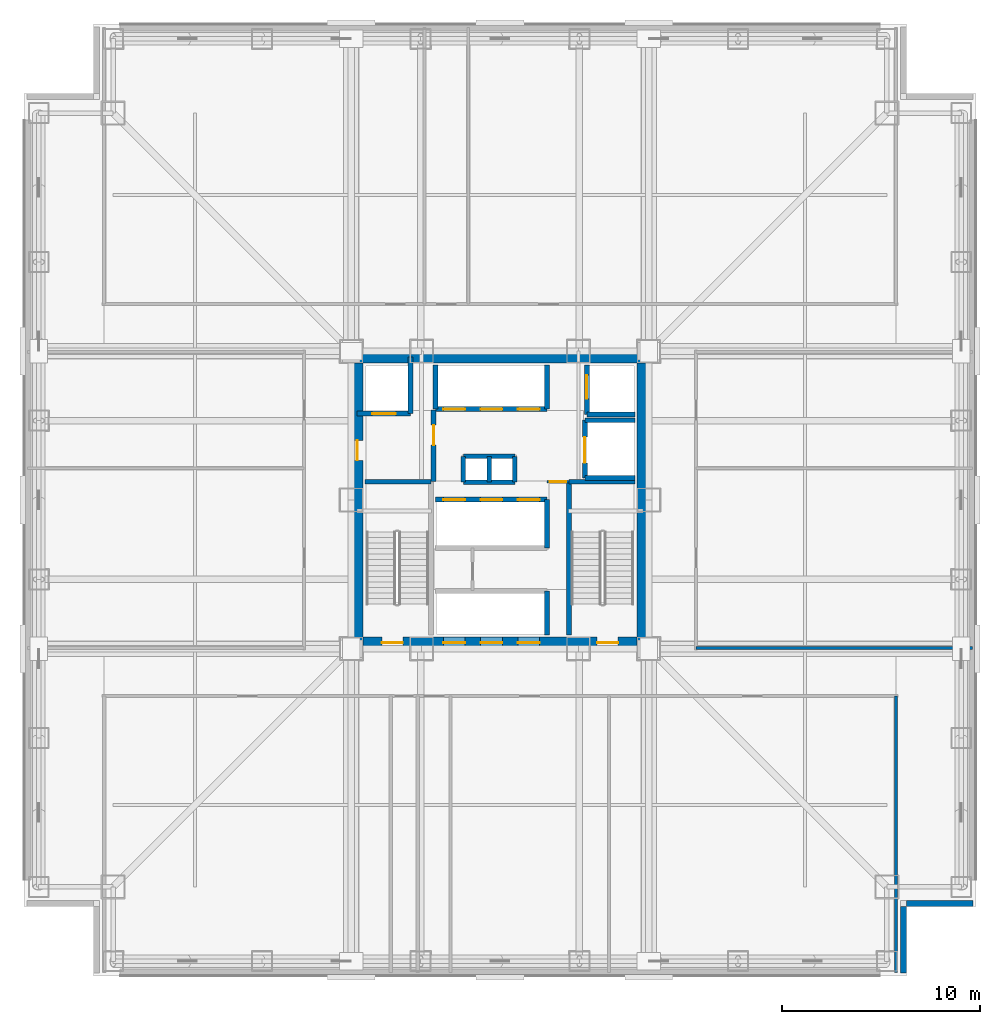
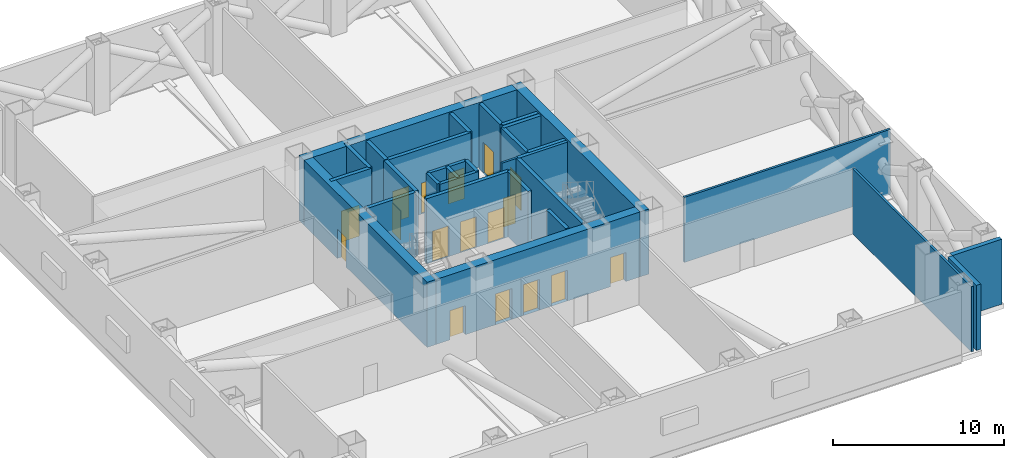
# One storey, part 4 of 8: 31 walls, 17 doors, 17 openings.
"""IFC4 building model written with IfcOpenShell, lengths in metres."""

from ifc_helpers import new_model, si_unit, direction, frame, frame_2d, origin, place, context, subcontext, project, spatial, rectangle, extrude, material, layer, layer_set, type_object, element, fill, save


model = new_model("IFC4")

# Units and contexts
model_context = context("Model", 3, precision=1e-05, world=origin(), true_north=direction((0.0, 1.0)))
body_context = subcontext(model_context, "Body", "Model", "MODEL_VIEW")
ifc_project = project(units=[si_unit("LENGTHUNIT", "METRE"), si_unit("AREAUNIT", "SQUARE_METRE"), si_unit("VOLUMEUNIT", "CUBIC_METRE"), si_unit("PLANEANGLEUNIT", "RADIAN"), si_unit("MASSUNIT", "GRAM", prefix="KILO")], contexts=[model_context])

# Site, building, storey
site_placement = place(None, origin())
site = spatial("IfcSite", under=ifc_project, at=site_placement, CompositionType="ELEMENT")
building_placement = place(site_placement, origin())
building = spatial("IfcBuilding", under=site, at=building_placement, Name="Trevonay Congress Spire", CompositionType="ELEMENT")
storey_placement = place(building_placement, frame((0.0, 0.0, 83.0)))
storey = spatial("IfcBuildingStorey", under=building, at=storey_placement, Name="L21", CompositionType="ELEMENT", Elevation=83.0)

# Wall, openings, doors
ifc_material_1 = material(Name="Concrete C60/75", Category="concrete")
ifc_layer_1 = layer(ifc_material_1, 0.60009765625, Name="Concrete C60/75")
ifc_layer_set_1 = layer_set([ifc_layer_1], Name="Concrete C60/75")
wall_type_1 = type_object("IfcWallType", Name="WAL-CORE-600", PredefinedType="SHEAR", material=ifc_layer_set_1)
wall_1_placement = place(storey_placement, frame((-7.5, -7.199951171875, 0.0), z_axis=(0.0, 0.0, 1.0), x_axis=(1.0, 0.0, 0.0)))
wall_1 = element("IfcWall", 1, at=wall_1_placement, inside=storey, type_object=wall_type_1, Name="L21 South structural core shear wall", PredefinedType="SHEAR", context=body_context, shape_type="SweptSolid", body=[
    extrude(rectangle(XDim=15.0, YDim=0.60009765625, at=frame_2d((7.5, 0.0))), origin(), (0.0, 0.0, 1.0), 4.64990234375),
])
opening_1_placement = place(wall_1_placement, frame((1.550048828125, 0.0, 0.0)))
opening_1 = element("IfcOpeningElement", 2, at=opening_1_placement, cuts=wall_1, Name="Opening D05", PredefinedType="OPENING", context=body_context, shape_type="SweptSolid", body=[
    extrude(rectangle(XDim=1.050048828125, YDim=2.080078125, at=frame_2d((0.52490234375, 1.0400390625))), frame((0.0, 0.31005859375, 0.0), z_axis=(0.0, -1.0, 0.0), x_axis=(1.0, 0.0, 0.0)), (0.0, 0.0, 1.0), 0.6201171875),
])
opening_2_placement = place(wall_1_placement, frame((12.39990234375, 0.0, 0.0)))
opening_2 = element("IfcOpeningElement", 3, at=opening_2_placement, cuts=wall_1, Name="Opening D05", PredefinedType="OPENING", context=body_context, shape_type="SweptSolid", body=[
    extrude(rectangle(XDim=1.050048828125, YDim=2.080078125, at=frame_2d((0.52490234375, 1.0400390625))), frame((0.0, 0.31005859375, 0.0), z_axis=(0.0, -1.0, 0.0), x_axis=(1.0, 0.0, 0.0)), (0.0, 0.0, 1.0), 0.6201171875),
])
opening_3_placement = place(wall_1_placement, frame((4.639892578125, 0.0, 0.0)))
opening_3 = element("IfcOpeningElement", 4, at=opening_3_placement, cuts=wall_1, Name="Opening LD01", PredefinedType="OPENING", context=body_context, shape_type="SweptSolid", body=[
    extrude(rectangle(XDim=1.10009765625, YDim=2.199951171875, at=frame_2d((0.550048828125, 1.10009765625))), frame((0.0, 0.31005859375, 0.0), z_axis=(0.0, -1.0, 0.0), x_axis=(1.0, 0.0, 0.0)), (0.0, 0.0, 1.0), 0.6201171875),
])
opening_4_placement = place(wall_1_placement, frame((6.52001953125, 0.0, 0.0)))
opening_4 = element("IfcOpeningElement", 5, at=opening_4_placement, cuts=wall_1, Name="Opening LD01", PredefinedType="OPENING", context=body_context, shape_type="SweptSolid", body=[
    extrude(rectangle(XDim=1.10009765625, YDim=2.199951171875, at=frame_2d((0.550048828125, 1.10009765625))), frame((0.0, 0.31005859375, 0.0), z_axis=(0.0, -1.0, 0.0), x_axis=(1.0, 0.0, 0.0)), (0.0, 0.0, 1.0), 0.6201171875),
])
opening_5_placement = place(wall_1_placement, frame((8.39990234375, 0.0, 0.0)))
opening_5 = element("IfcOpeningElement", 6, at=opening_5_placement, cuts=wall_1, Name="Opening LD01", PredefinedType="OPENING", context=body_context, shape_type="SweptSolid", body=[
    extrude(rectangle(XDim=1.10009765625, YDim=2.199951171875, at=frame_2d((0.550048828125, 1.10009765625))), frame((0.0, 0.31005859375, 0.0), z_axis=(0.0, -1.0, 0.0), x_axis=(1.0, 0.0, 0.0)), (0.0, 0.0, 1.0), 0.6201171875),
])
ifc_material_2 = material(Name="Pale Anodised Aluminium EN AW-6063-T6", Category="aluminium")
door_type_1 = type_object("IfcDoorType", Name="DOR-LIFT-LD01", OperationType="DOUBLE_DOOR_SLIDING", PredefinedType="DOOR", material=ifc_material_2)
door_1_placement = place(opening_3_placement, origin())
door_1 = element("IfcDoor", 7, at=door_1_placement, inside=storey, type_object=door_type_1, Name="L21 Passenger lift PL-01 landing door", OperationType="DOUBLE_DOOR_SLIDING", OverallHeight=2.199951171875, OverallWidth=1.10009765625, PredefinedType="DOOR", context=body_context, shape_type="SweptSolid", body=[
    extrude(rectangle(XDim=1.10009765625, YDim=2.199951171875, at=frame_2d((0.550048828125, 1.10009765625))), frame((0.0, 0.02490234375, 0.0), z_axis=(0.0, -1.0, 0.0), x_axis=(1.0, 0.0, 0.0)), (0.0, 0.0, 1.0), 0.050048828125),
])
fill(opening_3, door_1)
door_2_placement = place(opening_4_placement, origin())
door_2 = element("IfcDoor", 8, at=door_2_placement, inside=storey, type_object=door_type_1, Name="L21 Passenger lift PL-02 landing door", OperationType="DOUBLE_DOOR_SLIDING", OverallHeight=2.199951171875, OverallWidth=1.10009765625, PredefinedType="DOOR", context=body_context, shape_type="SweptSolid", body=[
    extrude(rectangle(XDim=1.10009765625, YDim=2.199951171875, at=frame_2d((0.550048828125, 1.10009765625))), frame((0.0, 0.02490234375, 0.0), z_axis=(0.0, -1.0, 0.0), x_axis=(1.0, 0.0, 0.0)), (0.0, 0.0, 1.0), 0.050048828125),
])
fill(opening_4, door_2)
door_3_placement = place(opening_5_placement, origin())
door_3 = element("IfcDoor", 9, at=door_3_placement, inside=storey, type_object=door_type_1, Name="L21 Passenger lift PL-03 landing door", OperationType="DOUBLE_DOOR_SLIDING", OverallHeight=2.199951171875, OverallWidth=1.10009765625, PredefinedType="DOOR", context=body_context, shape_type="SweptSolid", body=[
    extrude(rectangle(XDim=1.10009765625, YDim=2.199951171875, at=frame_2d((0.550048828125, 1.10009765625))), frame((0.0, 0.02490234375, 0.0), z_axis=(0.0, -1.0, 0.0), x_axis=(1.0, 0.0, 0.0)), (0.0, 0.0, 1.0), 0.050048828125),
])
fill(opening_5, door_3)
ifc_material_3 = material(Name="Steel ASTM A572 Grade 50", Category="steel")
door_type_2 = type_object("IfcDoorType", Name="DOR-STAIR-110", OperationType="NOTDEFINED", PredefinedType="DOOR", material=ifc_material_3)
door_4_placement = place(opening_1_placement, origin())
door_4 = element("IfcDoor", 10, at=door_4_placement, inside=storey, type_object=door_type_2, Name="L21 Protected Stair ST-1 Door", OperationType="SINGLE_SWING_RIGHT", OverallHeight=2.080078125, OverallWidth=1.050048828125, PredefinedType="DOOR", context=body_context, shape_type="SweptSolid", body=[
    extrude(rectangle(XDim=1.050048828125, YDim=2.080078125, at=frame_2d((0.52490234375, 1.0400390625))), frame((0.0, 0.02490234375, 0.0), z_axis=(0.0, -1.0, 0.0), x_axis=(1.0, 0.0, 0.0)), (0.0, 0.0, 1.0), 0.050048828125),
])
fill(opening_1, door_4)
door_5_placement = place(opening_2_placement, origin())
door_5 = element("IfcDoor", 11, at=door_5_placement, inside=storey, type_object=door_type_2, Name="L21 Protected Stair ST-2 Door", OperationType="SINGLE_SWING_LEFT", OverallHeight=2.080078125, OverallWidth=1.050048828125, PredefinedType="DOOR", context=body_context, shape_type="SweptSolid", body=[
    extrude(rectangle(XDim=1.050048828125, YDim=2.080078125, at=frame_2d((0.52490234375, 1.0400390625))), frame((0.0, 0.02490234375, 0.0), z_axis=(0.0, -1.0, 0.0), x_axis=(1.0, 0.0, 0.0)), (0.0, 0.0, 1.0), 0.050048828125),
])
fill(opening_2, door_5)

# Wall
wall_2_placement = place(storey_placement, frame((-7.5, 7.199951171875, 0.0), z_axis=(0.0, 0.0, 1.0), x_axis=(1.0, 0.0, 0.0)))
element("IfcWall", 12, at=wall_2_placement, inside=storey, type_object=wall_type_1, Name="L21 North structural core shear wall", PredefinedType="SHEAR", context=body_context, shape_type="SweptSolid", body=[
    extrude(rectangle(XDim=15.0, YDim=0.60009765625, at=frame_2d((7.5, 0.0))), origin(), (0.0, 0.0, 1.0), 4.64990234375),
])

# Wall, opening, door
wall_3_placement = place(storey_placement, frame((-7.199951171875, -7.5, 0.0), z_axis=(0.0, 0.0, 1.0), x_axis=(0.0, 1.0, 0.0)))
wall_3 = element("IfcWall", 13, at=wall_3_placement, inside=storey, type_object=wall_type_1, Name="L21 West structural core shear wall", PredefinedType="SHEAR", context=body_context, shape_type="SweptSolid", body=[
    extrude(rectangle(XDim=15.0, YDim=0.60009765625, at=frame_2d((7.5, 0.0))), origin(), (0.0, 0.0, 1.0), 4.64990234375),
])
opening_6_placement = place(wall_3_placement, frame((9.5, 0.0, 0.0)))
opening_6 = element("IfcOpeningElement", 14, at=opening_6_placement, cuts=wall_3, Name="Opening D06", PredefinedType="OPENING", context=body_context, shape_type="SweptSolid", body=[
    extrude(rectangle(XDim=1.0, YDim=2.080078125, at=frame_2d((0.5, 1.0400390625))), frame((0.0, 0.31005859375, 0.0), z_axis=(0.0, -1.0, 0.0), x_axis=(1.0, 0.0, 0.0)), (0.0, 0.0, 1.0), 0.6201171875),
])
door_type_3 = type_object("IfcDoorType", Name="DOR-FIRE-100", OperationType="NOTDEFINED", PredefinedType="DOOR", material=ifc_material_3)
door_6_placement = place(opening_6_placement, origin())
door_6 = element("IfcDoor", 15, at=door_6_placement, inside=storey, type_object=door_type_3, Name="L21 Firefighting Lift Lobby West Corridor Door", OperationType="SINGLE_SWING_RIGHT", OverallHeight=2.080078125, OverallWidth=1.0, PredefinedType="DOOR", context=body_context, shape_type="SweptSolid", body=[
    extrude(rectangle(XDim=1.0, YDim=2.080078125, at=frame_2d((0.5, 1.0400390625))), frame((0.0, 0.02490234375, 0.0), z_axis=(0.0, -1.0, 0.0), x_axis=(1.0, 0.0, 0.0)), (0.0, 0.0, 1.0), 0.050048828125),
])
fill(opening_6, door_6)

# Walls
wall_4_placement = place(storey_placement, frame((7.199951171875, -7.5, 0.0), z_axis=(0.0, 0.0, 1.0), x_axis=(0.0, 1.0, 0.0)))
element("IfcWall", 16, at=wall_4_placement, inside=storey, type_object=wall_type_1, Name="L21 East structural core shear wall", PredefinedType="SHEAR", context=body_context, shape_type="SweptSolid", body=[
    extrude(rectangle(XDim=15.0, YDim=0.60009765625, at=frame_2d((7.5, 0.0))), origin(), (0.0, 0.0, 1.0), 4.64990234375),
])
ifc_material_4 = material(Name="Precast concrete C40/50", Category="concrete")
ifc_layer_2 = layer(ifc_material_4, 0.300048828125, Name="Precast concrete C40/50")
ifc_layer_set_2 = layer_set([ifc_layer_2], Name="Precast concrete C40/50")
wall_type_2 = type_object("IfcWallType", Name="WAL-EXT-PRECAST-300", PredefinedType="SOLIDWALL", material=ifc_layer_set_2)
for number, where, z_axis, x_axis, name in (
    (17, (20.35009765625, -23.85009765625, 0.0), (0.0, 0.0, 1.0), (0.0, 1.0, 0.0), "L21 SE plant notch wall 1"),
    (18, (23.85009765625, -20.35009765625, 0.0), (0.0, 0.0, 1.0), (-1.0, 0.0, 0.0), "L21 SE plant notch wall 2"),
):
    element("IfcWall", number, at=place(storey_placement, frame(where, z_axis=z_axis, x_axis=x_axis)), inside=storey, type_object=wall_type_2, Name=name, PredefinedType="SOLIDWALL", context=body_context, shape_type="SweptSolid", body=[
        extrude(rectangle(XDim=3.35009765625, YDim=0.300048828125, at=frame_2d((1.675048828125, 0.0))), origin(), (0.0, 0.0, 1.0), 4.64990234375),
    ])

# Wall, opening, door
ifc_material_5 = material(Name="Concrete C40/50", Category="concrete")
ifc_layer_3 = layer(ifc_material_5, 0.14990234375, Name="Concrete C40/50")
ifc_layer_set_3 = layer_set([ifc_layer_3], Name="Concrete C40/50")
wall_type_3 = type_object("IfcWallType", Name="WAL-PART-150", PredefinedType="PARTITIONING", material=ifc_layer_set_3)
wall_5_placement = place(storey_placement, frame((2.3798828125, 0.919921875, 0.0), z_axis=(0.0, 0.0, 1.0), x_axis=(1.0, 0.0, 0.0)))
wall_5 = element("IfcWall", 19, at=wall_5_placement, inside=storey, type_object=wall_type_3, Name="L21 interior wall CW-CSRV-N-L21", PredefinedType="PARTITIONING", context=body_context, shape_type="SweptSolid", body=[
    extrude(rectangle(XDim=1.090087890625, YDim=0.14990234375, at=frame_2d((0.544921875, 0.0))), origin(), (0.0, 0.0, 1.0), 4.64990234375),
])
opening_7_placement = place(wall_5_placement, frame((0.135009765625, 0.0, 0.0)))
opening_7 = element("IfcOpeningElement", 20, at=opening_7_placement, cuts=wall_5, Name="Opening D13", PredefinedType="OPENING", context=body_context, shape_type="SweptSolid", body=[
    extrude(rectangle(XDim=0.820068359375, YDim=2.050048828125, at=frame_2d((0.41015625, 1.02490234375))), frame((0.0, 0.0849609375, 0.0), z_axis=(0.0, -1.0, 0.0), x_axis=(1.0, 0.0, 0.0)), (0.0, 0.0, 1.0), 0.169921875),
])
door_type_4 = type_object("IfcDoorType", Name="DOR-UTIL-80", OperationType="NOTDEFINED", PredefinedType="DOOR", material=ifc_material_3)
door_7_placement = place(opening_7_placement, origin())
door_7 = element("IfcDoor", 21, at=door_7_placement, inside=storey, type_object=door_type_4, Name="L21 Core Service Pocket Door", OperationType="SINGLE_SWING_RIGHT", OverallHeight=2.050048828125, OverallWidth=0.820068359375, PredefinedType="DOOR", context=body_context, shape_type="SweptSolid", body=[
    extrude(rectangle(XDim=0.820068359375, YDim=2.050048828125, at=frame_2d((0.41015625, 1.02490234375))), frame((0.0, 0.02490234375, 0.0), z_axis=(0.0, -1.0, 0.0), x_axis=(1.0, 0.0, 0.0)), (0.0, 0.0, 1.0), 0.050048828125),
])
fill(opening_7, door_7)

# Walls
for number, where, z_axis, x_axis, name in (
    (22, (19.949951171875, -23.820068359375, 0.0), (0.0, 0.0, 1.0), (0.0, 1.0, 0.0), "L21 interior wall WP-L21S-DIV5"),
    (23, (9.8798828125, -7.449951171875, 0.0), (0.0, 0.0, 1.0), (1.0, 0.0, 0.0), "L21 interior wall WP-L21E-DIV1"),
):
    element("IfcWall", number, at=place(storey_placement, frame(where, z_axis=z_axis, x_axis=x_axis)), inside=storey, type_object=wall_type_3, Name=name, PredefinedType="PARTITIONING", context=body_context, shape_type="SweptSolid", body=[
        extrude(rectangle(XDim=13.940185546875, YDim=0.14990234375, at=frame_2d((6.97021484375, 0.0))), origin(), (0.0, 0.0, 1.0), 4.64990234375),
    ])
ifc_layer_4 = layer(ifc_material_5, 0.219970703125, Name="Concrete C40/50")
ifc_layer_set_4 = layer_set([ifc_layer_4], Name="Concrete C40/50")
wall_type_4 = type_object("IfcWallType", Name="WAL-SHAFT-220", PredefinedType="PARTITIONING", material=ifc_layer_set_4)
for number, where, z_axis, x_axis, name in (
    (24, (-1.85009765625, 2.199951171875, 0.0), (0.0, 0.0, 1.0), (1.0, 0.0, 0.0), "L21 interior shaft wall WSH-L21-RSR-N"),
    (25, (-1.85009765625, 0.89990234375, 0.0), (0.0, 0.0, 1.0), (1.0, 0.0, 0.0), "L21 interior shaft wall WSH-L21-RSR-S"),
):
    element("IfcWall", number, at=place(storey_placement, frame(where, z_axis=z_axis, x_axis=x_axis)), inside=storey, type_object=wall_type_4, Name=name, PredefinedType="PARTITIONING", context=body_context, shape_type="SweptSolid", body=[
        extrude(rectangle(XDim=2.60009765625, YDim=0.219970703125, at=frame_2d((1.300048828125, 0.0))), origin(), (0.0, 0.0, 1.0), 4.64990234375),
    ])
for number, where, z_axis, x_axis, name in (
    (26, (-0.550048828125, 0.89990234375, 0.0), (0.0, 0.0, 1.0), (0.0, 1.0, 0.0), "L21 interior shaft wall WSH-L21-RSR-M"),
    (27, (0.75, 0.89990234375, 0.0), (0.0, 0.0, 1.0), (0.0, 1.0, 0.0), "L21 interior shaft wall WSH-L21-RSR-E"),
    (28, (-1.85009765625, 0.89990234375, 0.0), (0.0, 0.0, 1.0), (0.0, 1.0, 0.0), "L21 interior shaft wall WSH-L21-RSR-W"),
):
    element("IfcWall", number, at=place(storey_placement, frame(where, z_axis=z_axis, x_axis=x_axis)), inside=storey, type_object=wall_type_4, Name=name, PredefinedType="PARTITIONING", context=body_context, shape_type="SweptSolid", body=[
        extrude(rectangle(XDim=1.300048828125, YDim=0.219970703125, at=frame_2d((0.64990234375, 0.0))), origin(), (0.0, 0.0, 1.0), 4.64990234375),
    ])
ifc_layer_5 = layer(ifc_material_5, 0.25, Name="Concrete C40/50")
ifc_layer_set_5 = layer_set([ifc_layer_5], Name="Concrete C40/50")
wall_type_5 = type_object("IfcWallType", Name="WAL-SHAFT-250", PredefinedType="SHEAR", material=ifc_layer_set_5)
wall_6_placement = place(storey_placement, frame((2.3798828125, -6.800048828125, 0.0), z_axis=(0.0, 0.0, 1.0), x_axis=(0.0, 1.0, 0.0)))
element("IfcWall", 29, at=wall_6_placement, inside=storey, type_object=wall_type_5, Name="L21 interior shaft wall WSH-L21-B1-E", PredefinedType="SHEAR", context=body_context, shape_type="SweptSolid", body=[
    extrude(rectangle(XDim=2.219970703125, YDim=0.25, at=frame_2d((1.10986328125, 0.0))), origin(), (0.0, 0.0, 1.0), 4.64990234375),
])

# Wall, openings, doors
wall_7_placement = place(storey_placement, frame((-3.260009765625, 0.02001953125, 0.0), z_axis=(0.0, 0.0, 1.0), x_axis=(1.0, 0.0, 0.0)))
wall_7 = element("IfcWall", 30, at=wall_7_placement, inside=storey, type_object=wall_type_5, Name="L21 interior shaft wall WSH-L21-B2-N", PredefinedType="SHEAR", context=body_context, shape_type="SweptSolid", body=[
    extrude(rectangle(XDim=5.639892578125, YDim=0.25, at=frame_2d((2.81982421875, 0.0))), origin(), (0.0, 0.0, 1.0), 4.64990234375),
])
opening_8_placement = place(wall_7_placement, frame((0.39990234375, 0.0, 0.0)))
opening_8 = element("IfcOpeningElement", 31, at=opening_8_placement, cuts=wall_7, Name="Opening LD02", PredefinedType="OPENING", context=body_context, shape_type="SweptSolid", body=[
    extrude(rectangle(XDim=1.10009765625, YDim=2.199951171875, at=frame_2d((0.550048828125, 1.10009765625))), frame((0.0, 0.135009765625, 0.0), z_axis=(0.0, -1.0, 0.0), x_axis=(1.0, 0.0, 0.0)), (0.0, 0.0, 1.0), 0.27001953125),
])
opening_9_placement = place(wall_7_placement, frame((2.280029296875, 0.0, 0.0)))
opening_9 = element("IfcOpeningElement", 32, at=opening_9_placement, cuts=wall_7, Name="Opening LD02", PredefinedType="OPENING", context=body_context, shape_type="SweptSolid", body=[
    extrude(rectangle(XDim=1.10009765625, YDim=2.199951171875, at=frame_2d((0.550048828125, 1.10009765625))), frame((0.0, 0.135009765625, 0.0), z_axis=(0.0, -1.0, 0.0), x_axis=(1.0, 0.0, 0.0)), (0.0, 0.0, 1.0), 0.27001953125),
])
opening_10_placement = place(wall_7_placement, frame((4.159912109375, 0.0, 0.0)))
opening_10 = element("IfcOpeningElement", 33, at=opening_10_placement, cuts=wall_7, Name="Opening LD02", PredefinedType="OPENING", context=body_context, shape_type="SweptSolid", body=[
    extrude(rectangle(XDim=1.10009765625, YDim=2.199951171875, at=frame_2d((0.550048828125, 1.10009765625))), frame((0.0, 0.135009765625, 0.0), z_axis=(0.0, -1.0, 0.0), x_axis=(1.0, 0.0, 0.0)), (0.0, 0.0, 1.0), 0.27001953125),
])
door_type_5 = type_object("IfcDoorType", Name="DOR-LIFT-LD02", OperationType="DOUBLE_DOOR_SLIDING", PredefinedType="DOOR", material=ifc_material_2)
door_8_placement = place(opening_8_placement, origin())
door_8 = element("IfcDoor", 34, at=door_8_placement, inside=storey, type_object=door_type_5, Name="L21 Passenger lift PL-04 landing door", OperationType="DOUBLE_DOOR_SLIDING", OverallHeight=2.199951171875, OverallWidth=1.10009765625, PredefinedType="DOOR", context=body_context, shape_type="SweptSolid", body=[
    extrude(rectangle(XDim=1.10009765625, YDim=2.199951171875, at=frame_2d((0.550048828125, 1.10009765625))), frame((0.0, 0.02490234375, 0.0), z_axis=(0.0, -1.0, 0.0), x_axis=(1.0, 0.0, 0.0)), (0.0, 0.0, 1.0), 0.050048828125),
])
fill(opening_8, door_8)
door_9_placement = place(opening_9_placement, origin())
door_9 = element("IfcDoor", 35, at=door_9_placement, inside=storey, type_object=door_type_5, Name="L21 Passenger lift PL-05 landing door", OperationType="DOUBLE_DOOR_SLIDING", OverallHeight=2.199951171875, OverallWidth=1.10009765625, PredefinedType="DOOR", context=body_context, shape_type="SweptSolid", body=[
    extrude(rectangle(XDim=1.10009765625, YDim=2.199951171875, at=frame_2d((0.550048828125, 1.10009765625))), frame((0.0, 0.02490234375, 0.0), z_axis=(0.0, -1.0, 0.0), x_axis=(1.0, 0.0, 0.0)), (0.0, 0.0, 1.0), 0.050048828125),
])
fill(opening_9, door_9)
door_10_placement = place(opening_10_placement, origin())
door_10 = element("IfcDoor", 36, at=door_10_placement, inside=storey, type_object=door_type_5, Name="L21 Passenger lift PL-06 landing door", OperationType="DOUBLE_DOOR_SLIDING", OverallHeight=2.199951171875, OverallWidth=1.10009765625, PredefinedType="DOOR", context=body_context, shape_type="SweptSolid", body=[
    extrude(rectangle(XDim=1.10009765625, YDim=2.199951171875, at=frame_2d((0.550048828125, 1.10009765625))), frame((0.0, 0.02490234375, 0.0), z_axis=(0.0, -1.0, 0.0), x_axis=(1.0, 0.0, 0.0)), (0.0, 0.0, 1.0), 0.050048828125),
])
fill(opening_10, door_10)

# Wall
wall_8_placement = place(storey_placement, frame((2.3798828125, -2.419921875, 0.0), z_axis=(0.0, 0.0, 1.0), x_axis=(0.0, 1.0, 0.0)))
element("IfcWall", 37, at=wall_8_placement, inside=storey, type_object=wall_type_5, Name="L21 interior shaft wall WSH-L21-B2-E", PredefinedType="SHEAR", context=body_context, shape_type="SweptSolid", body=[
    extrude(rectangle(XDim=2.43994140625, YDim=0.25, at=frame_2d((1.219970703125, 0.0))), origin(), (0.0, 0.0, 1.0), 4.64990234375),
])

# Wall, openings, doors
wall_9_placement = place(storey_placement, frame((-3.260009765625, 4.580078125, 0.0), z_axis=(0.0, 0.0, 1.0), x_axis=(1.0, 0.0, 0.0)))
wall_9 = element("IfcWall", 38, at=wall_9_placement, inside=storey, type_object=wall_type_5, Name="L21 interior shaft wall WSH-L21-B3-S", PredefinedType="SHEAR", context=body_context, shape_type="SweptSolid", body=[
    extrude(rectangle(XDim=5.639892578125, YDim=0.25, at=frame_2d((2.81982421875, 0.0))), origin(), (0.0, 0.0, 1.0), 4.64990234375),
])
opening_11_placement = place(wall_9_placement, frame((0.39990234375, 0.0, 0.0)))
opening_11 = element("IfcOpeningElement", 39, at=opening_11_placement, cuts=wall_9, Name="Opening LD03", PredefinedType="OPENING", context=body_context, shape_type="SweptSolid", body=[
    extrude(rectangle(XDim=1.10009765625, YDim=2.199951171875, at=frame_2d((0.550048828125, 1.10009765625))), frame((0.0, 0.135009765625, 0.0), z_axis=(0.0, -1.0, 0.0), x_axis=(1.0, 0.0, 0.0)), (0.0, 0.0, 1.0), 0.27001953125),
])
opening_12_placement = place(wall_9_placement, frame((2.280029296875, 0.0, 0.0)))
opening_12 = element("IfcOpeningElement", 40, at=opening_12_placement, cuts=wall_9, Name="Opening LD03", PredefinedType="OPENING", context=body_context, shape_type="SweptSolid", body=[
    extrude(rectangle(XDim=1.10009765625, YDim=2.199951171875, at=frame_2d((0.550048828125, 1.10009765625))), frame((0.0, 0.135009765625, 0.0), z_axis=(0.0, -1.0, 0.0), x_axis=(1.0, 0.0, 0.0)), (0.0, 0.0, 1.0), 0.27001953125),
])
opening_13_placement = place(wall_9_placement, frame((4.159912109375, 0.0, 0.0)))
opening_13 = element("IfcOpeningElement", 41, at=opening_13_placement, cuts=wall_9, Name="Opening LD03", PredefinedType="OPENING", context=body_context, shape_type="SweptSolid", body=[
    extrude(rectangle(XDim=1.10009765625, YDim=2.199951171875, at=frame_2d((0.550048828125, 1.10009765625))), frame((0.0, 0.135009765625, 0.0), z_axis=(0.0, -1.0, 0.0), x_axis=(1.0, 0.0, 0.0)), (0.0, 0.0, 1.0), 0.27001953125),
])
door_type_6 = type_object("IfcDoorType", Name="DOR-LIFT-LD03", OperationType="DOUBLE_DOOR_SLIDING", PredefinedType="DOOR", material=ifc_material_2)
door_11_placement = place(opening_11_placement, origin())
door_11 = element("IfcDoor", 42, at=door_11_placement, inside=storey, type_object=door_type_6, Name="L21 Passenger lift PL-07 landing door", OperationType="DOUBLE_DOOR_SLIDING", OverallHeight=2.199951171875, OverallWidth=1.10009765625, PredefinedType="DOOR", context=body_context, shape_type="SweptSolid", body=[
    extrude(rectangle(XDim=1.10009765625, YDim=2.199951171875, at=frame_2d((0.550048828125, 1.10009765625))), frame((0.0, 0.02490234375, 0.0), z_axis=(0.0, -1.0, 0.0), x_axis=(1.0, 0.0, 0.0)), (0.0, 0.0, 1.0), 0.050048828125),
])
fill(opening_11, door_11)
door_12_placement = place(opening_12_placement, origin())
door_12 = element("IfcDoor", 43, at=door_12_placement, inside=storey, type_object=door_type_6, Name="L21 Passenger lift PL-08 landing door", OperationType="DOUBLE_DOOR_SLIDING", OverallHeight=2.199951171875, OverallWidth=1.10009765625, PredefinedType="DOOR", context=body_context, shape_type="SweptSolid", body=[
    extrude(rectangle(XDim=1.10009765625, YDim=2.199951171875, at=frame_2d((0.550048828125, 1.10009765625))), frame((0.0, 0.02490234375, 0.0), z_axis=(0.0, -1.0, 0.0), x_axis=(1.0, 0.0, 0.0)), (0.0, 0.0, 1.0), 0.050048828125),
])
fill(opening_12, door_12)
door_13_placement = place(opening_13_placement, origin())
door_13 = element("IfcDoor", 44, at=door_13_placement, inside=storey, type_object=door_type_6, Name="L21 Passenger lift PL-09 landing door", OperationType="DOUBLE_DOOR_SLIDING", OverallHeight=2.199951171875, OverallWidth=1.10009765625, PredefinedType="DOOR", context=body_context, shape_type="SweptSolid", body=[
    extrude(rectangle(XDim=1.10009765625, YDim=2.199951171875, at=frame_2d((0.550048828125, 1.10009765625))), frame((0.0, 0.02490234375, 0.0), z_axis=(0.0, -1.0, 0.0), x_axis=(1.0, 0.0, 0.0)), (0.0, 0.0, 1.0), 0.050048828125),
])
fill(opening_13, door_13)

# Walls
for number, where, z_axis, x_axis, name in (
    (45, (-3.260009765625, 4.580078125, 0.0), (0.0, 0.0, 1.0), (0.0, 1.0, 0.0), "L21 interior shaft wall WSH-L21-B3-W"),
    (46, (2.3798828125, 4.580078125, 0.0), (0.0, 0.0, 1.0), (0.0, 1.0, 0.0), "L21 interior shaft wall WSH-L21-B3-E"),
):
    element("IfcWall", number, at=place(storey_placement, frame(where, z_axis=z_axis, x_axis=x_axis)), inside=storey, type_object=wall_type_5, Name=name, PredefinedType="SHEAR", context=body_context, shape_type="SweptSolid", body=[
        extrude(rectangle(XDim=2.219970703125, YDim=0.25, at=frame_2d((1.10986328125, 0.0))), origin(), (0.0, 0.0, 1.0), 4.64990234375),
    ])

# Wall, opening, door
wall_10_placement = place(storey_placement, frame((-7.199951171875, 4.35009765625, 0.0), z_axis=(0.0, 0.0, 1.0), x_axis=(1.0, 0.0, 0.0)))
wall_10 = element("IfcWall", 47, at=wall_10_placement, inside=storey, type_object=wall_type_5, Name="L21 interior shaft wall WSH-L21-FF1-S", PredefinedType="SHEAR", context=body_context, shape_type="SweptSolid", body=[
    extrude(rectangle(XDim=2.699951171875, YDim=0.25, at=frame_2d((1.35009765625, 0.0))), origin(), (0.0, 0.0, 1.0), 4.64990234375),
])
opening_14_placement = place(wall_10_placement, frame((0.75, 0.0, 0.0)))
opening_14 = element("IfcOpeningElement", 48, at=opening_14_placement, cuts=wall_10, Name="Opening LD04", PredefinedType="OPENING", context=body_context, shape_type="SweptSolid", body=[
    extrude(rectangle(XDim=1.199951171875, YDim=2.199951171875, at=frame_2d((0.60009765625, 1.10009765625))), frame((0.0, 0.135009765625, 0.0), z_axis=(0.0, -1.0, 0.0), x_axis=(1.0, 0.0, 0.0)), (0.0, 0.0, 1.0), 0.27001953125),
])
door_type_7 = type_object("IfcDoorType", Name="DOR-LIFT-LD04", OperationType="DOUBLE_DOOR_SLIDING", PredefinedType="DOOR", material=ifc_material_3)
door_14_placement = place(opening_14_placement, origin())
door_14 = element("IfcDoor", 49, at=door_14_placement, inside=storey, type_object=door_type_7, Name="L21 Firefighting lift FFL-01 landing door", OperationType="DOUBLE_DOOR_SLIDING", OverallHeight=2.199951171875, OverallWidth=1.199951171875, PredefinedType="DOOR", context=body_context, shape_type="SweptSolid", body=[
    extrude(rectangle(XDim=1.199951171875, YDim=2.199951171875, at=frame_2d((0.60009765625, 1.10009765625))), frame((0.0, 0.02490234375, 0.0), z_axis=(0.0, -1.0, 0.0), x_axis=(1.0, 0.0, 0.0)), (0.0, 0.0, 1.0), 0.050048828125),
])
fill(opening_14, door_14)

# Walls
wall_11_placement = place(storey_placement, frame((-4.5, 4.35009765625, 0.0), z_axis=(0.0, 0.0, 1.0), x_axis=(0.0, 1.0, 0.0)))
element("IfcWall", 50, at=wall_11_placement, inside=storey, type_object=wall_type_5, Name="L21 interior shaft wall WSH-L21-FF1-E", PredefinedType="SHEAR", context=body_context, shape_type="SweptSolid", body=[
    extrude(rectangle(XDim=2.849853515625, YDim=0.25, at=frame_2d((1.4248046875, 0.0))), origin(), (0.0, 0.0, 1.0), 4.64990234375),
])
wall_12_placement = place(storey_placement, frame((4.3798828125, 4.300048828125, 0.0), z_axis=(0.0, 0.0, 1.0), x_axis=(1.0, 0.0, 0.0)))
element("IfcWall", 51, at=wall_12_placement, inside=storey, type_object=wall_type_5, Name="L21 interior shaft wall WSH-L21-FF2-S", PredefinedType="SHEAR", context=body_context, shape_type="SweptSolid", body=[
    extrude(rectangle(XDim=2.420166015625, YDim=0.25, at=frame_2d((1.2099609375, 0.0))), origin(), (0.0, 0.0, 1.0), 4.64990234375),
])

# Wall, opening, door
wall_13_placement = place(storey_placement, frame((4.3798828125, 4.300048828125, 0.0), z_axis=(0.0, 0.0, 1.0), x_axis=(0.0, 1.0, 0.0)))
wall_13 = element("IfcWall", 52, at=wall_13_placement, inside=storey, type_object=wall_type_5, Name="L21 interior shaft wall WSH-L21-FF2-W", PredefinedType="SHEAR", context=body_context, shape_type="SweptSolid", body=[
    extrude(rectangle(XDim=2.5, YDim=0.25, at=frame_2d((1.25, 0.0))), origin(), (0.0, 0.0, 1.0), 4.64990234375),
])
opening_15_placement = place(wall_13_placement, frame((0.800048828125, 0.0, 0.0)))
opening_15 = element("IfcOpeningElement", 53, at=opening_15_placement, cuts=wall_13, Name="Opening LD04", PredefinedType="OPENING", context=body_context, shape_type="SweptSolid", body=[
    extrude(rectangle(XDim=1.199951171875, YDim=2.199951171875, at=frame_2d((0.60009765625, 1.10009765625))), frame((0.0, 0.135009765625, 0.0), z_axis=(0.0, -1.0, 0.0), x_axis=(1.0, 0.0, 0.0)), (0.0, 0.0, 1.0), 0.27001953125),
])
door_15_placement = place(opening_15_placement, origin())
door_15 = element("IfcDoor", 54, at=door_15_placement, inside=storey, type_object=door_type_7, Name="L21 Firefighting lift FFL-02 landing door", OperationType="DOUBLE_DOOR_SLIDING", OverallHeight=2.199951171875, OverallWidth=1.199951171875, PredefinedType="DOOR", context=body_context, shape_type="SweptSolid", body=[
    extrude(rectangle(XDim=1.199951171875, YDim=2.199951171875, at=frame_2d((0.60009765625, 1.10009765625))), frame((0.0, 0.02490234375, 0.0), z_axis=(0.0, -1.0, 0.0), x_axis=(1.0, 0.0, 0.0)), (0.0, 0.0, 1.0), 0.050048828125),
])
fill(opening_15, door_15)

wall_14_placement = place(storey_placement, frame((4.280029296875, 1.1201171875, 0.0), z_axis=(0.0, 0.0, 1.0), x_axis=(0.0, 1.0, 0.0)))
wall_14 = element("IfcWall", 55, at=wall_14_placement, inside=storey, type_object=wall_type_5, Name="L21 interior shaft wall WSH-L21-SV-W", PredefinedType="SHEAR", context=body_context, shape_type="SweptSolid", body=[
    extrude(rectangle(XDim=2.89990234375, YDim=0.25, at=frame_2d((1.449951171875, 0.0))), origin(), (0.0, 0.0, 1.0), 4.64990234375),
])
opening_16_placement = place(wall_14_placement, frame((0.75, 0.0, 0.0)))
opening_16 = element("IfcOpeningElement", 56, at=opening_16_placement, cuts=wall_14, Name="Opening LD05", PredefinedType="OPENING", context=body_context, shape_type="SweptSolid", body=[
    extrude(rectangle(XDim=1.300048828125, YDim=2.300048828125, at=frame_2d((0.64990234375, 1.14990234375))), frame((0.0, 0.135009765625, 0.0), z_axis=(0.0, -1.0, 0.0), x_axis=(1.0, 0.0, 0.0)), (0.0, 0.0, 1.0), 0.27001953125),
])
door_type_8 = type_object("IfcDoorType", Name="DOR-LIFT-LD05", OperationType="DOUBLE_DOOR_SLIDING", PredefinedType="DOOR", material=ifc_material_3)
door_16_placement = place(opening_16_placement, origin())
door_16 = element("IfcDoor", 57, at=door_16_placement, inside=storey, type_object=door_type_8, Name="L21 Goods lift SVL-01 landing door", OperationType="DOUBLE_DOOR_SLIDING", OverallHeight=2.300048828125, OverallWidth=1.300048828125, PredefinedType="DOOR", context=body_context, shape_type="SweptSolid", body=[
    extrude(rectangle(XDim=1.300048828125, YDim=2.300048828125, at=frame_2d((0.64990234375, 1.14990234375))), frame((0.0, 0.02490234375, 0.0), z_axis=(0.0, -1.0, 0.0), x_axis=(1.0, 0.0, 0.0)), (0.0, 0.0, 1.0), 0.050048828125),
])
fill(opening_16, door_16)

# Walls
for number, where, z_axis, x_axis, name in (
    (58, (4.280029296875, 1.1201171875, 0.0), (0.0, 0.0, 1.0), (1.0, 0.0, 0.0), "L21 interior shaft wall WSH-L21-SV-S"),
    (59, (4.280029296875, 4.02001953125, 0.0), (0.0, 0.0, 1.0), (1.0, 0.0, 0.0), "L21 interior shaft wall WSH-L21-SV-N"),
):
    element("IfcWall", number, at=place(storey_placement, frame(where, z_axis=z_axis, x_axis=x_axis)), inside=storey, type_object=wall_type_5, Name=name, PredefinedType="SHEAR", context=body_context, shape_type="SweptSolid", body=[
        extrude(rectangle(XDim=2.52001953125, YDim=0.25, at=frame_2d((1.260009765625, 0.0))), origin(), (0.0, 0.0, 1.0), 4.64990234375),
    ])

# Wall, opening, door
wall_15_placement = place(storey_placement, frame((-3.35009765625, 0.919921875, 0.0), z_axis=(0.0, 0.0, 1.0), x_axis=(0.0, 1.0, 0.0)))
wall_15 = element("IfcWall", 60, at=wall_15_placement, inside=storey, type_object=wall_type_5, Name="L21 interior wall CW-FFLW-E-L21", PredefinedType="SHEAR", context=body_context, shape_type="SweptSolid", body=[
    extrude(rectangle(XDim=3.6201171875, YDim=0.25, at=frame_2d((1.81005859375, 0.0))), origin(), (0.0, 0.0, 1.0), 4.64990234375),
])
opening_17_placement = place(wall_15_placement, frame((1.85009765625, 0.0, 0.0)))
opening_17 = element("IfcOpeningElement", 61, at=opening_17_placement, cuts=wall_15, Name="Opening D06", PredefinedType="OPENING", context=body_context, shape_type="SweptSolid", body=[
    extrude(rectangle(XDim=1.0, YDim=2.080078125, at=frame_2d((0.5, 1.0400390625))), frame((0.0, 0.135009765625, 0.0), z_axis=(0.0, -1.0, 0.0), x_axis=(1.0, 0.0, 0.0)), (0.0, 0.0, 1.0), 0.27001953125),
])
door_17_placement = place(opening_17_placement, origin())
door_17 = element("IfcDoor", 62, at=door_17_placement, inside=storey, type_object=door_type_3, Name="L21 Firefighting Core Lobby Transfer Door", OperationType="SINGLE_SWING_LEFT", OverallHeight=2.080078125, OverallWidth=1.0, PredefinedType="DOOR", context=body_context, shape_type="SweptSolid", body=[
    extrude(rectangle(XDim=1.0, YDim=2.080078125, at=frame_2d((0.5, 1.0400390625))), frame((0.0, 0.02490234375, 0.0), z_axis=(0.0, -1.0, 0.0), x_axis=(1.0, 0.0, 0.0)), (0.0, 0.0, 1.0), 0.050048828125),
])
fill(opening_17, door_17)

# Walls
ifc_layer_6 = layer(ifc_material_5, 0.25, Name="Concrete C40/50")
ifc_layer_set_6 = layer_set([ifc_layer_6], Name="Concrete C40/50")
wall_type_6 = type_object("IfcWallType", Name="WAL-SHAFT-LB-250", PredefinedType="SHEAR", material=ifc_layer_set_6)
wall_16_placement = place(storey_placement, frame((-6.800048828125, 0.919921875, 0.0), z_axis=(0.0, 0.0, 1.0), x_axis=(1.0, 0.0, 0.0)))
element("IfcWall", 63, at=wall_16_placement, inside=storey, type_object=wall_type_6, Name="L21 interior shaft wall WSH-L21-ST1-N", PredefinedType="SHEAR", context=body_context, shape_type="SweptSolid", body=[
    extrude(rectangle(XDim=3.330078125, YDim=0.25, at=frame_2d((1.6650390625, 0.0))), origin(), (0.0, 0.0, 1.0), 4.64990234375),
])
wall_17_placement = place(storey_placement, frame((3.469970703125, -6.800048828125, 0.0), z_axis=(0.0, 0.0, 1.0), x_axis=(0.0, 1.0, 0.0)))
element("IfcWall", 64, at=wall_17_placement, inside=storey, type_object=wall_type_6, Name="L21 interior shaft wall WSH-L21-ST2-W", PredefinedType="SHEAR", context=body_context, shape_type="SweptSolid", body=[
    extrude(rectangle(XDim=7.719970703125, YDim=0.25, at=frame_2d((3.85986328125, 0.0))), origin(), (0.0, 0.0, 1.0), 4.64990234375),
])
wall_18_placement = place(storey_placement, frame((3.469970703125, 0.919921875, 0.0), z_axis=(0.0, 0.0, 1.0), x_axis=(1.0, 0.0, 0.0)))
element("IfcWall", 65, at=wall_18_placement, inside=storey, type_object=wall_type_6, Name="L21 interior shaft wall WSH-L21-ST2-N", PredefinedType="SHEAR", context=body_context, shape_type="SweptSolid", body=[
    extrude(rectangle(XDim=3.330078125, YDim=0.25, at=frame_2d((1.6650390625, 0.0))), origin(), (0.0, 0.0, 1.0), 4.64990234375),
])

save(model, "model.ifc")
